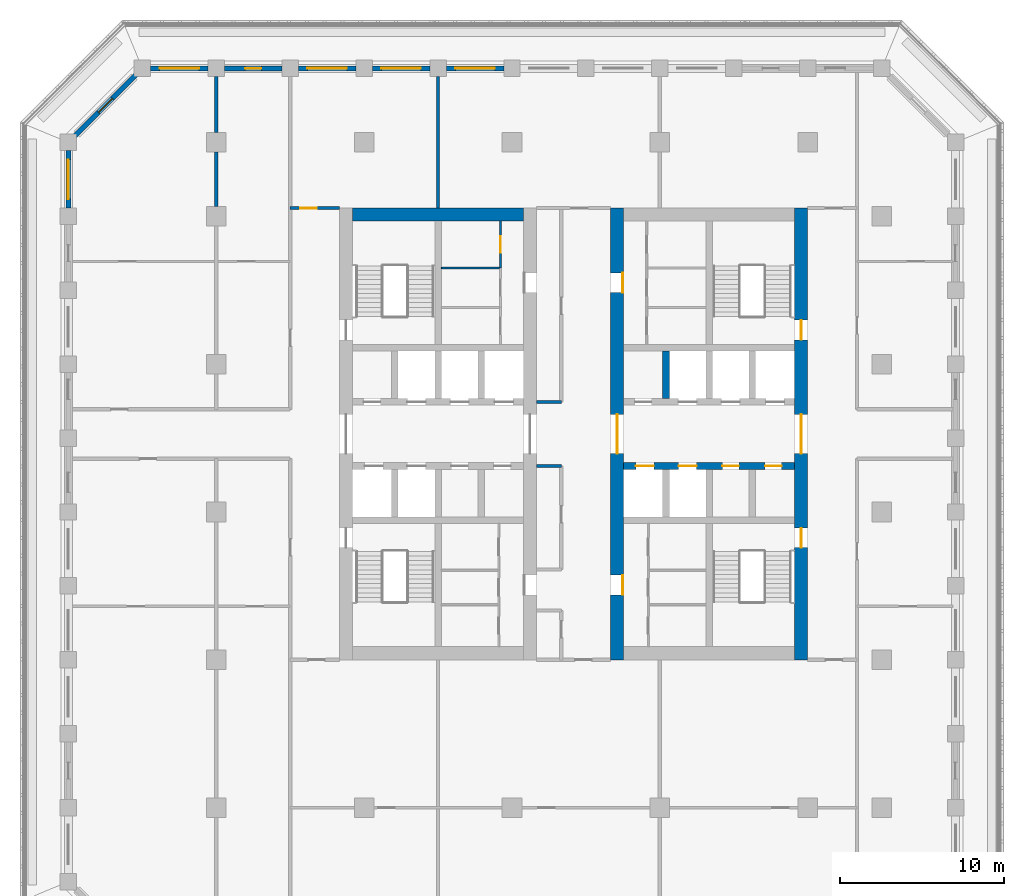
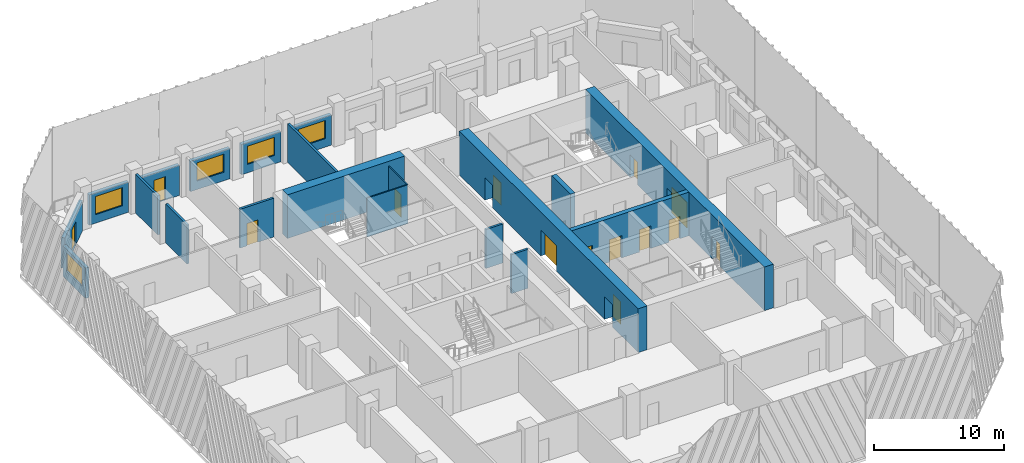
# One storey, part 6 of 16: 20 walls, 14 doors, 5 windows, 19 openings.
"""IFC4 building model written with IfcOpenShell, lengths in metres."""

from ifc_helpers import new_model, si_unit, direction, frame, frame_2d, origin, place, context, subcontext, project, spatial, rectangle, extrude, material, layer, layer_set, type_object, element, fill, save


model = new_model("IFC4")

# Units and contexts
model_context = context("Model", 3, precision=1e-05, world=origin(), true_north=direction((0.0, 1.0)))
body_context = subcontext(model_context, "Body", "Model", "MODEL_VIEW")
ifc_project = project(units=[si_unit("LENGTHUNIT", "METRE"), si_unit("AREAUNIT", "SQUARE_METRE"), si_unit("VOLUMEUNIT", "CUBIC_METRE"), si_unit("PLANEANGLEUNIT", "RADIAN"), si_unit("MASSUNIT", "GRAM", prefix="KILO")], contexts=[model_context])

# Site, building, storey
site_placement = place(None, origin())
site = spatial("IfcSite", under=ifc_project, at=site_placement, CompositionType="ELEMENT")
building_placement = place(site_placement, origin())
building = spatial("IfcBuilding", under=site, at=building_placement, Name="Corbel Stack Research Tower", CompositionType="ELEMENT")
storey_placement = place(building_placement, frame((0.0, 0.0, 165.0)))
storey = spatial("IfcBuildingStorey", under=building, at=storey_placement, Name="L37", CompositionType="ELEMENT", Elevation=165.0)

# Wall, openings, doors
ifc_material_1 = material(Name="Concrete C60/75", Category="concrete")
ifc_layer_1 = layer(ifc_material_1, 0.39990234375)
ifc_layer_set_1 = layer_set([ifc_layer_1], Name="Concrete C60/75")
wall_type_1 = type_object("IfcWallType", Name="CW-400-60", PredefinedType="SHEAR", material=ifc_layer_set_1)
wall_1_placement = place(storey_placement, frame((6.800048828125, 2.800048828125, 0.0), z_axis=(0.0, 0.0, 1.0), x_axis=(1.0, 0.0, 0.0)))
wall_1 = element("IfcWall", 1, at=wall_1_placement, inside=storey, type_object=wall_type_1, Name="East core wall, lobby south L37", PredefinedType="SHEAR", context=body_context, shape_type="SweptSolid", body=[
    extrude(rectangle(XDim=10.39990234375, YDim=0.39990234375, at=frame_2d((5.199951171875, 0.0))), origin(), (0.0, 0.0, 1.0), 4.10009765625),
])
opening_1_placement = place(wall_1_placement, frame((0.737548828125, 0.0, 0.0)))
opening_1 = element("IfcOpeningElement", 2, at=opening_1_placement, cuts=wall_1, Name="Opening LD-FS2", PredefinedType="OPENING", context=body_context, shape_type="SweptSolid", body=[
    extrude(rectangle(XDim=1.10009765625, YDim=2.10009765625, at=frame_2d((0.550048828125, 1.050048828125))), frame((0.0, 0.2099609375, 0.0), z_axis=(0.0, -1.0, 0.0), x_axis=(1.0, 0.0, 0.0)), (0.0, 0.0, 1.0), 0.419921875),
])
opening_2_placement = place(wall_1_placement, frame((3.33740234375, 0.0, 0.0)))
opening_2 = element("IfcOpeningElement", 3, at=opening_2_placement, cuts=wall_1, Name="Opening LD-GL2", PredefinedType="OPENING", context=body_context, shape_type="SweptSolid", body=[
    extrude(rectangle(XDim=1.10009765625, YDim=2.10009765625, at=frame_2d((0.550048828125, 1.050048828125))), frame((0.0, 0.2099609375, 0.0), z_axis=(0.0, -1.0, 0.0), x_axis=(1.0, 0.0, 0.0)), (0.0, 0.0, 1.0), 0.419921875),
])
opening_3_placement = place(wall_1_placement, frame((6.012451171875, 0.0, 0.0)))
opening_3 = element("IfcOpeningElement", 4, at=opening_3_placement, cuts=wall_1, Name="Opening CR-E12-S3", PredefinedType="OPENING", context=body_context, shape_type="SweptSolid", body=[
    extrude(rectangle(XDim=1.0, YDim=2.10009765625, at=frame_2d((0.5, 1.050048828125))), frame((0.0, 0.2099609375, 0.0), z_axis=(0.0, -1.0, 0.0), x_axis=(1.0, 0.0, 0.0)), (0.0, 0.0, 1.0), 0.419921875),
])
opening_4_placement = place(wall_1_placement, frame((8.612548828125, 0.0, 0.0)))
opening_4 = element("IfcOpeningElement", 5, at=opening_4_placement, cuts=wall_1, Name="Opening CR-E12-S4", PredefinedType="OPENING", context=body_context, shape_type="SweptSolid", body=[
    extrude(rectangle(XDim=1.0, YDim=2.10009765625, at=frame_2d((0.5, 1.050048828125))), frame((0.0, 0.2099609375, 0.0), z_axis=(0.0, -1.0, 0.0), x_axis=(1.0, 0.0, 0.0)), (0.0, 0.0, 1.0), 0.419921875),
])
ifc_material_2 = material(Name="Stainless steel landing door", Category="steel")
door_type_1 = type_object("IfcDoorType", Name="Lift landing door 1100 x 2100", OperationType="DOUBLE_DOOR_SLIDING", PredefinedType="DOOR", material=ifc_material_2)
door_1_placement = place(opening_1_placement, origin())
door_1 = element("IfcDoor", 6, at=door_1_placement, inside=storey, type_object=door_type_1, Name="Landing door FS2", OperationType="DOUBLE_DOOR_SLIDING", OverallHeight=2.10009765625, OverallWidth=1.10009765625, PredefinedType="DOOR", context=body_context, shape_type="SweptSolid", body=[
    extrude(rectangle(XDim=1.10009765625, YDim=2.10009765625, at=frame_2d((0.550048828125, 1.050048828125))), frame((0.0, 0.02490234375, 0.0), z_axis=(0.0, -1.0, 0.0), x_axis=(1.0, 0.0, 0.0)), (0.0, 0.0, 1.0), 0.050048828125),
])
fill(opening_1, door_1)
door_2_placement = place(opening_2_placement, origin())
door_2 = element("IfcDoor", 7, at=door_2_placement, inside=storey, type_object=door_type_1, Name="Landing door GL2", OperationType="DOUBLE_DOOR_SLIDING", OverallHeight=2.10009765625, OverallWidth=1.10009765625, PredefinedType="DOOR", context=body_context, shape_type="SweptSolid", body=[
    extrude(rectangle(XDim=1.10009765625, YDim=2.10009765625, at=frame_2d((0.550048828125, 1.050048828125))), frame((0.0, 0.02490234375, 0.0), z_axis=(0.0, -1.0, 0.0), x_axis=(1.0, 0.0, 0.0)), (0.0, 0.0, 1.0), 0.050048828125),
])
fill(opening_2, door_2)
ifc_material_3 = material(Name="Painted steel door", Category="steel")
door_type_2 = type_object("IfcDoorType", Name="Service door 1000 x 2100 FD60 left hand", OperationType="SINGLE_SWING_LEFT", PredefinedType="DOOR", material=ifc_material_3)
door_3_placement = place(opening_3_placement, origin())
door_3 = element("IfcDoor", 8, at=door_3_placement, inside=storey, type_object=door_type_2, Name="Vending bay door E core", OperationType="SINGLE_SWING_LEFT", OverallHeight=2.10009765625, OverallWidth=1.0, PredefinedType="DOOR", context=body_context, shape_type="SweptSolid", body=[
    extrude(rectangle(XDim=1.0, YDim=2.10009765625, at=frame_2d((0.5, 1.050048828125))), frame((0.0, 0.02490234375, 0.0), z_axis=(0.0, -1.0, 0.0), x_axis=(1.0, 0.0, 0.0)), (0.0, 0.0, 1.0), 0.050048828125),
])
fill(opening_3, door_3)
ifc_material_4 = material(Name="Painted steel door", Category="steel")
door_type_3 = type_object("IfcDoorType", Name="Service door 1000 x 2100 FD60 right hand", OperationType="SINGLE_SWING_RIGHT", PredefinedType="DOOR", material=ifc_material_4)
door_4_placement = place(opening_4_placement, origin())
door_4 = element("IfcDoor", 9, at=door_4_placement, inside=storey, type_object=door_type_3, Name="Mechanical room door E core", OperationType="SINGLE_SWING_RIGHT", OverallHeight=2.10009765625, OverallWidth=1.0, PredefinedType="DOOR", context=body_context, shape_type="SweptSolid", body=[
    extrude(rectangle(XDim=1.0, YDim=2.10009765625, at=frame_2d((0.5, 1.050048828125))), frame((0.0, 0.02490234375, 0.0), z_axis=(0.0, -1.0, 0.0), x_axis=(1.0, 0.0, 0.0)), (0.0, 0.0, 1.0), 0.050048828125),
])
fill(opening_4, door_4)

# Walls
wall_2_placement = place(storey_placement, frame((9.375, 6.89990234375, 0.0), z_axis=(0.0, 0.0, 1.0), x_axis=(0.0, 1.0, 0.0)))
element("IfcWall", 10, at=wall_2_placement, inside=storey, type_object=wall_type_1, Name="East core wall, north shaft 1 L37", PredefinedType="SHEAR", context=body_context, shape_type="SweptSolid", body=[
    extrude(rectangle(XDim=2.900146484375, YDim=0.39990234375, at=frame_2d((1.4501953125, 0.0))), origin(), (0.0, 0.0, 1.0), 4.10009765625),
])
ifc_material_5 = material(Name="Concrete C60/75", Category="concrete")
ifc_layer_2 = layer(ifc_material_5, 0.800048828125)
ifc_layer_set_2 = layer_set([ifc_layer_2], Name="Concrete C60/75")
wall_type_2 = type_object("IfcWallType", Name="CW-800-60", PredefinedType="SHEAR", material=ifc_layer_set_2)
wall_3_placement = place(storey_placement, frame((-9.699951171875, 18.10009765625, 0.0), z_axis=(0.0, 0.0, 1.0), x_axis=(1.0, 0.0, 0.0)))
element("IfcWall", 11, at=wall_3_placement, inside=storey, type_object=wall_type_2, Name="West core wall, north end L37", PredefinedType="SHEAR", context=body_context, shape_type="SweptSolid", body=[
    extrude(rectangle(XDim=10.39990234375, YDim=0.800048828125, at=frame_2d((5.199951171875, 0.0))), origin(), (0.0, 0.0, 1.0), 4.10009765625),
])

# Wall, openings, doors
wall_4_placement = place(storey_placement, frame((6.39990234375, -9.0, 0.0), z_axis=(0.0, 0.0, 1.0), x_axis=(0.0, 1.0, 0.0)))
wall_4 = element("IfcWall", 12, at=wall_4_placement, inside=storey, type_object=wall_type_2, Name="East core wall, west face L37", PredefinedType="SHEAR", context=body_context, shape_type="SweptSolid", body=[
    extrude(rectangle(XDim=27.5, YDim=0.800048828125, at=frame_2d((13.75, 0.0))), origin(), (0.0, 0.0, 1.0), 4.10009765625),
])
opening_5_placement = place(wall_4_placement, frame((12.550048828125, 0.0, 0.0)))
opening_5 = element("IfcOpeningElement", 13, at=opening_5_placement, cuts=wall_4, Name="Opening CD-E-W", PredefinedType="OPENING", context=body_context, shape_type="SweptSolid", body=[
    extrude(rectangle(XDim=2.39990234375, YDim=2.39990234375, at=frame_2d((1.199951171875, 1.199951171875))), frame((0.0, 0.409912109375, 0.0), z_axis=(0.0, -1.0, 0.0), x_axis=(1.0, 0.0, 0.0)), (0.0, 0.0, 1.0), 0.820068359375),
])
opening_6_placement = place(wall_4_placement, frame((3.949951171875, 0.0, 0.0)))
opening_6 = element("IfcOpeningElement", 14, at=opening_6_placement, cuts=wall_4, Name="Opening CR-E12-W1-1200", PredefinedType="OPENING", context=body_context, shape_type="SweptSolid", body=[
    extrude(rectangle(XDim=1.199951171875, YDim=2.10009765625, at=frame_2d((0.60009765625, 1.050048828125))), frame((0.0, 0.409912109375, 0.0), z_axis=(0.0, -1.0, 0.0), x_axis=(1.0, 0.0, 0.0)), (0.0, 0.0, 1.0), 0.820068359375),
])
opening_7_placement = place(wall_4_placement, frame((22.35009765625, 0.0, 0.0)))
opening_7 = element("IfcOpeningElement", 15, at=opening_7_placement, cuts=wall_4, Name="Opening CR-E12-R1-1200", PredefinedType="OPENING", context=body_context, shape_type="SweptSolid", body=[
    extrude(rectangle(XDim=1.199951171875, YDim=2.10009765625, at=frame_2d((0.60009765625, 1.050048828125))), frame((0.0, 0.409912109375, 0.0), z_axis=(0.0, -1.0, 0.0), x_axis=(1.0, 0.0, 0.0)), (0.0, 0.0, 1.0), 0.820068359375),
])
ifc_material_6 = material(Name="Painted steel fire door", Category="steel")
door_type_4 = type_object("IfcDoorType", Name="Lobby door pair 2400 x 2400 FD30S", OperationType="DOUBLE_DOOR_DOUBLE_SWING", PredefinedType="DOOR", material=ifc_material_6)
door_5_placement = place(opening_5_placement, origin())
door_5 = element("IfcDoor", 16, at=door_5_placement, inside=storey, type_object=door_type_4, Name="Lift lobby door E core W", OperationType="DOUBLE_DOOR_DOUBLE_SWING", OverallHeight=2.39990234375, OverallWidth=2.39990234375, PredefinedType="DOOR", context=body_context, shape_type="SweptSolid", body=[
    extrude(rectangle(XDim=2.39990234375, YDim=2.39990234375, at=frame_2d((1.199951171875, 1.199951171875))), frame((0.0, 0.02490234375, 0.0), z_axis=(0.0, -1.0, 0.0), x_axis=(1.0, 0.0, 0.0)), (0.0, 0.0, 1.0), 0.050048828125),
])
fill(opening_5, door_5)
ifc_material_7 = material(Name="Painted steel door", Category="steel")
door_type_5 = type_object("IfcDoorType", Name="Service door 1200 x 2100 FD30 right hand", OperationType="SINGLE_SWING_RIGHT", PredefinedType="DOOR", material=ifc_material_7)
door_6_placement = place(opening_7_placement, origin())
door_6 = element("IfcDoor", 17, at=door_6_placement, inside=storey, type_object=door_type_5, Name="Service passage door E core", OperationType="SINGLE_SWING_RIGHT", OverallHeight=2.10009765625, OverallWidth=1.199951171875, PredefinedType="DOOR", context=body_context, shape_type="SweptSolid", body=[
    extrude(rectangle(XDim=1.199951171875, YDim=2.10009765625, at=frame_2d((0.60009765625, 1.050048828125))), frame((0.0, -0.3251953125, 0.0), z_axis=(0.0, -1.0, 0.0), x_axis=(1.0, 0.0, 0.0)), (0.0, 0.0, 1.0), 0.050048828125),
])
fill(opening_7, door_6)
ifc_material_8 = material(Name="Painted timber door", Category="wood")
door_type_6 = type_object("IfcDoorType", Name="WC door 1200 x 2100 right hand", OperationType="SINGLE_SWING_RIGHT", PredefinedType="DOOR", material=ifc_material_8)
door_7_placement = place(opening_6_placement, origin())
door_7 = element("IfcDoor", 18, at=door_7_placement, inside=storey, type_object=door_type_6, Name="WC lobby door E core", OperationType="SINGLE_SWING_RIGHT", OverallHeight=2.10009765625, OverallWidth=1.199951171875, PredefinedType="DOOR", context=body_context, shape_type="SweptSolid", body=[
    extrude(rectangle(XDim=1.199951171875, YDim=2.10009765625, at=frame_2d((0.60009765625, 1.050048828125))), frame((0.0, -0.3251953125, 0.0), z_axis=(0.0, -1.0, 0.0), x_axis=(1.0, 0.0, 0.0)), (0.0, 0.0, 1.0), 0.050048828125),
])
fill(opening_6, door_7)

wall_5_placement = place(storey_placement, frame((17.60009765625, -9.0, 0.0), z_axis=(0.0, 0.0, 1.0), x_axis=(0.0, 1.0, 0.0)))
wall_5 = element("IfcWall", 19, at=wall_5_placement, inside=storey, type_object=wall_type_2, Name="East core wall, east face L37", PredefinedType="SHEAR", context=body_context, shape_type="SweptSolid", body=[
    extrude(rectangle(XDim=27.5, YDim=0.800048828125, at=frame_2d((13.75, 0.0))), origin(), (0.0, 0.0, 1.0), 4.10009765625),
])
opening_8_placement = place(wall_5_placement, frame((12.550048828125, 0.0, 0.0)))
opening_8 = element("IfcOpeningElement", 20, at=opening_8_placement, cuts=wall_5, Name="Opening CD-E-E", PredefinedType="OPENING", context=body_context, shape_type="SweptSolid", body=[
    extrude(rectangle(XDim=2.39990234375, YDim=2.39990234375, at=frame_2d((1.199951171875, 1.199951171875))), frame((0.0, 0.409912109375, 0.0), z_axis=(0.0, -1.0, 0.0), x_axis=(1.0, 0.0, 0.0)), (0.0, 0.0, 1.0), 0.820068359375),
])
opening_9_placement = place(wall_5_placement, frame((6.824951171875, 0.0, 0.0)))
opening_9 = element("IfcOpeningElement", 21, at=opening_9_placement, cuts=wall_5, Name="Opening SD-ST-E1", PredefinedType="OPENING", context=body_context, shape_type="SweptSolid", body=[
    extrude(rectangle(XDim=1.199951171875, YDim=2.10009765625, at=frame_2d((0.60009765625, 1.050048828125))), frame((0.0, 0.409912109375, 0.0), z_axis=(0.0, -1.0, 0.0), x_axis=(1.0, 0.0, 0.0)), (0.0, 0.0, 1.0), 0.820068359375),
])
opening_10_placement = place(wall_5_placement, frame((19.47509765625, 0.0, 0.0)))
opening_10 = element("IfcOpeningElement", 22, at=opening_10_placement, cuts=wall_5, Name="Opening SD-ST-E2", PredefinedType="OPENING", context=body_context, shape_type="SweptSolid", body=[
    extrude(rectangle(XDim=1.199951171875, YDim=2.10009765625, at=frame_2d((0.60009765625, 1.050048828125))), frame((0.0, 0.409912109375, 0.0), z_axis=(0.0, -1.0, 0.0), x_axis=(1.0, 0.0, 0.0)), (0.0, 0.0, 1.0), 0.820068359375),
])
door_8_placement = place(opening_8_placement, origin())
door_8 = element("IfcDoor", 23, at=door_8_placement, inside=storey, type_object=door_type_4, Name="Lift lobby door E core E", OperationType="DOUBLE_DOOR_DOUBLE_SWING", OverallHeight=2.39990234375, OverallWidth=2.39990234375, PredefinedType="DOOR", context=body_context, shape_type="SweptSolid", body=[
    extrude(rectangle(XDim=2.39990234375, YDim=2.39990234375, at=frame_2d((1.199951171875, 1.199951171875))), frame((0.0, 0.02490234375, 0.0), z_axis=(0.0, -1.0, 0.0), x_axis=(1.0, 0.0, 0.0)), (0.0, 0.0, 1.0), 0.050048828125),
])
fill(opening_8, door_8)
ifc_material_9 = material(Name="Painted steel fire door", Category="steel")
door_type_7 = type_object("IfcDoorType", Name="Stair door 1200 x 2100 FD90 right hand", OperationType="SINGLE_SWING_RIGHT", PredefinedType="DOOR", material=ifc_material_9)
door_9_placement = place(opening_9_placement, frame((1.199951171875, 0.0, 0.0), z_axis=(0.0, 0.0, 1.0), x_axis=(-1.0, 0.0, 0.0)))
door_9 = element("IfcDoor", 24, at=door_9_placement, inside=storey, type_object=door_type_7, Name="Stair door ST-E1", OperationType="SINGLE_SWING_LEFT", OverallHeight=2.10009765625, OverallWidth=1.199951171875, PredefinedType="DOOR", context=body_context, shape_type="SweptSolid", body=[
    extrude(rectangle(XDim=1.199951171875, YDim=2.10009765625, at=frame_2d((0.60009765625, 1.050048828125))), frame((0.0, 0.02490234375, 0.0), z_axis=(0.0, -1.0, 0.0), x_axis=(1.0, 0.0, 0.0)), (0.0, 0.0, 1.0), 0.050048828125),
])
fill(opening_9, door_9)
door_10_placement = place(opening_10_placement, frame((1.199951171875, 0.0, 0.0), z_axis=(0.0, 0.0, 1.0), x_axis=(-1.0, 0.0, 0.0)))
door_10 = element("IfcDoor", 25, at=door_10_placement, inside=storey, type_object=door_type_7, Name="Stair door ST-E2", OperationType="SINGLE_SWING_LEFT", OverallHeight=2.10009765625, OverallWidth=1.199951171875, PredefinedType="DOOR", context=body_context, shape_type="SweptSolid", body=[
    extrude(rectangle(XDim=1.199951171875, YDim=2.10009765625, at=frame_2d((0.60009765625, 1.050048828125))), frame((0.0, 0.02490234375, 0.0), z_axis=(0.0, -1.0, 0.0), x_axis=(1.0, 0.0, 0.0)), (0.0, 0.0, 1.0), 0.050048828125),
])
fill(opening_10, door_10)

# Wall, opening, door
ifc_material_10 = material(Name="Gypsum board")
ifc_layer_3 = layer(ifc_material_10, 0.10009765625)
ifc_layer_set_3 = layer_set([ifc_layer_3], Name="Gypsum board")
wall_type_3 = type_object("IfcWallType", Name="Core partition 100", PredefinedType="PARTITIONING", material=ifc_layer_set_3)
wall_6_placement = place(storey_placement, frame((-0.699951171875, 14.85009765625, 0.0), z_axis=(0.0, 0.0, 1.0), x_axis=(0.0, 1.0, 0.0)))
wall_6 = element("IfcWall", 26, at=wall_6_placement, inside=storey, type_object=wall_type_3, Name="Core partition W", PredefinedType="PARTITIONING", context=body_context, shape_type="SweptSolid", body=[
    extrude(rectangle(XDim=2.849853515625, YDim=0.10009765625, at=frame_2d((1.4248046875, 0.0))), origin(), (0.0, 0.0, 1.0), 3.64990234375),
])
opening_11_placement = place(wall_6_placement, frame((0.925048828125, 0.0, 0.0)))
opening_11 = element("IfcOpeningElement", 27, at=opening_11_placement, cuts=wall_6, Name="Opening CR-W12-R4-1000", PredefinedType="OPENING", context=body_context, shape_type="SweptSolid", body=[
    extrude(rectangle(XDim=1.0, YDim=2.10009765625, at=frame_2d((0.5, 1.050048828125))), frame((0.0, 0.06005859375, 0.0), z_axis=(0.0, -1.0, 0.0), x_axis=(1.0, 0.0, 0.0)), (0.0, 0.0, 1.0), 0.1201171875),
])
ifc_material_11 = material(Name="Painted steel door", Category="steel")
door_type_8 = type_object("IfcDoorType", Name="Riser door 1000 x 2100 FD60 right hand", OperationType="SINGLE_SWING_RIGHT", PredefinedType="DOOR", material=ifc_material_11)
door_11_placement = place(opening_11_placement, origin())
door_11 = element("IfcDoor", 28, at=door_11_placement, inside=storey, type_object=door_type_8, Name="Electrical riser door W core", OperationType="SINGLE_SWING_RIGHT", OverallHeight=2.10009765625, OverallWidth=1.0, PredefinedType="DOOR", context=body_context, shape_type="SweptSolid", body=[
    extrude(rectangle(XDim=1.0, YDim=2.10009765625, at=frame_2d((0.5, 1.050048828125))), frame((0.0, 0.02490234375, 0.0), z_axis=(0.0, -1.0, 0.0), x_axis=(1.0, 0.0, 0.0)), (0.0, 0.0, 1.0), 0.050048828125),
])
fill(opening_11, door_11)

# Walls
wall_7_placement = place(storey_placement, frame((-4.300048828125, 14.85009765625, 0.0), z_axis=(0.0, 0.0, 1.0), x_axis=(1.0, 0.0, 0.0)))
element("IfcWall", 29, at=wall_7_placement, inside=storey, type_object=wall_type_3, Name="Core partition W", PredefinedType="PARTITIONING", context=body_context, shape_type="SweptSolid", body=[
    extrude(rectangle(XDim=3.60009765625, YDim=0.10009765625, at=frame_2d((1.800048828125, 0.0))), origin(), (0.0, 0.0, 1.0), 3.64990234375),
])
ifc_material_12 = material(Name="Fire-rated gypsum board partition on steel studs", Category="steel")
ifc_layer_4 = layer(ifc_material_12, 0.199951171875)
ifc_layer_set_4 = layer_set([ifc_layer_4], Name="Fire-rated gypsum board partition on steel studs")
wall_type_4 = type_object("IfcWallType", Name="Fire-rated partition 200 EI 60", PredefinedType="PARTITIONING", material=ifc_layer_set_4)
wall_8_placement = place(storey_placement, frame((-18.0, 18.60009765625, 0.0), z_axis=(0.0, 0.0, 1.0), x_axis=(0.0, 1.0, 0.0)))
element("IfcWall", 30, at=wall_8_placement, inside=storey, type_object=wall_type_4, Name="Partition L37-007", PredefinedType="PARTITIONING", context=body_context, shape_type="SweptSolid", body=[
    extrude(rectangle(XDim=3.2998046875, YDim=0.199951171875, at=frame_2d((1.64990234375, 0.0))), origin(), (0.0, 0.0, 1.0), 3.64990234375),
])
wall_9_placement = place(storey_placement, frame((-18.0, 23.10009765625, 0.0), z_axis=(0.0, 0.0, 1.0), x_axis=(0.0, 1.0, 0.0)))
element("IfcWall", 31, at=wall_9_placement, inside=storey, type_object=wall_type_4, Name="Partition L37-008", PredefinedType="PARTITIONING", context=body_context, shape_type="SweptSolid", body=[
    extrude(rectangle(XDim=3.39990234375, YDim=0.199951171875, at=frame_2d((1.699951171875, 0.0))), origin(), (0.0, 0.0, 1.0), 3.64990234375),
])
wall_10_placement = place(storey_placement, frame((-4.5, 18.5, 0.0), z_axis=(0.0, 0.0, 1.0), x_axis=(0.0, 1.0, 0.0)))
element("IfcWall", 32, at=wall_10_placement, inside=storey, type_object=wall_type_4, Name="Partition L37-012", PredefinedType="PARTITIONING", context=body_context, shape_type="SweptSolid", body=[
    extrude(rectangle(XDim=8.0, YDim=0.199951171875, at=frame_2d((4.0, 0.0))), origin(), (0.0, 0.0, 1.0), 3.64990234375),
])
for number, where, z_axis, x_axis, name in (
    (33, (1.5, 2.800048828125, 0.0), (0.0, 0.0, 1.0), (1.0, 0.0, 0.0), "Partition L37-034"),
    (34, (1.5, 6.699951171875, 0.0), (0.0, 0.0, 1.0), (1.0, 0.0, 0.0), "Partition L37-039"),
):
    element("IfcWall", number, at=place(storey_placement, frame(where, z_axis=z_axis, x_axis=x_axis)), inside=storey, type_object=wall_type_4, Name=name, PredefinedType="PARTITIONING", context=body_context, shape_type="SweptSolid", body=[
        extrude(rectangle(XDim=1.5, YDim=0.199951171875, at=frame_2d((0.75, 0.0))), origin(), (0.0, 0.0, 1.0), 3.64990234375),
    ])

# Wall, opening, door
wall_11_placement = place(storey_placement, frame((-13.5, 18.5, 0.0), z_axis=(0.0, 0.0, 1.0), x_axis=(1.0, 0.0, 0.0)))
wall_11 = element("IfcWall", 35, at=wall_11_placement, inside=storey, type_object=wall_type_4, Name="Partition L37-042", PredefinedType="PARTITIONING", context=body_context, shape_type="SweptSolid", body=[
    extrude(rectangle(XDim=3.0, YDim=0.199951171875, at=frame_2d((1.5, 0.0))), origin(), (0.0, 0.0, 1.0), 3.64990234375),
])
opening_12_placement = place(wall_11_placement, frame((0.60009765625, 0.0, 0.0)))
opening_12 = element("IfcOpeningElement", 36, at=opening_12_placement, cuts=wall_11, Name="Opening B5V1-020", PredefinedType="OPENING", context=body_context, shape_type="SweptSolid", body=[
    extrude(rectangle(XDim=1.0, YDim=2.10009765625, at=frame_2d((0.5, 1.050048828125))), frame((0.0, 0.10986328125, 0.0), z_axis=(0.0, -1.0, 0.0), x_axis=(1.0, 0.0, 0.0)), (0.0, 0.0, 1.0), 0.219970703125),
])
ifc_material_13 = material(Name="Painted steel fire door", Category="steel")
door_type_9 = type_object("IfcDoorType", Name="Fire door FD30S 1000 x 2100", OperationType="NOTDEFINED", PredefinedType="DOOR", material=ifc_material_13)
door_12_placement = place(opening_12_placement, origin())
door_12 = element("IfcDoor", 37, at=door_12_placement, inside=storey, type_object=door_type_9, Name="Door B5V1-020", OperationType="SINGLE_SWING_LEFT", OverallHeight=2.10009765625, OverallWidth=1.0, PredefinedType="DOOR", context=body_context, shape_type="SweptSolid", body=[
    extrude(rectangle(XDim=1.0, YDim=2.10009765625, at=frame_2d((0.5, 1.050048828125))), frame((0.0, 0.02490234375, 0.0), z_axis=(0.0, -1.0, 0.0), x_axis=(1.0, 0.0, 0.0)), (0.0, 0.0, 1.0), 0.050048828125),
])
fill(opening_12, door_12)

# Wall, opening, window
ifc_material_14 = material(Name="Concrete C45/55", Category="concrete")
ifc_layer_5 = layer(ifc_material_14, 0.300048828125)
ifc_layer_set_5 = layer_set([ifc_layer_5], Name="Concrete C45/55")
wall_type_5 = type_object("IfcWallType", Name="Terracotta-faced concrete wall 300", PredefinedType="SOLIDWALL", material=ifc_layer_set_5)
wall_12_placement = place(storey_placement, frame((-4.0, 27.0, 0.0), z_axis=(0.0, 0.0, 1.0), x_axis=(1.0, 0.0, 0.0)))
wall_12 = element("IfcWall", 38, at=wall_12_placement, inside=storey, type_object=wall_type_5, Name="Facade wall L37 N06", PredefinedType="SOLIDWALL", context=body_context, shape_type="SweptSolid", body=[
    extrude(rectangle(XDim=3.5, YDim=0.300048828125, at=frame_2d((1.75, 0.0))), origin(), (0.0, 0.0, 1.0), 2.85009765625),
])
opening_13_placement = place(wall_12_placement, frame((0.550048828125, 0.0, 0.800048828125)))
opening_13 = element("IfcOpeningElement", 39, at=opening_13_placement, cuts=wall_12, Name="Opening W1", PredefinedType="OPENING", context=body_context, shape_type="SweptSolid", body=[
    extrude(rectangle(XDim=2.39990234375, YDim=1.699951171875, at=frame_2d((1.199951171875, 0.85009765625))), frame((0.0, 0.159912109375, 0.0), z_axis=(0.0, -1.0, 0.0), x_axis=(1.0, 0.0, 0.0)), (0.0, 0.0, 1.0), 0.320068359375),
])
ifc_material_15 = material(Name="Aluminium frame, clear double glazing", Category="aluminium")
window_type = type_object("IfcWindowType", Name="Window W1 2400 x 1700", PartitioningType="SINGLE_PANEL", PredefinedType="WINDOW", material=ifc_material_15)
window_1_placement = place(opening_13_placement, origin())
window_1 = element("IfcWindow", 40, at=window_1_placement, inside=storey, type_object=window_type, Name="Window W1 L37 N06", OverallHeight=1.699951171875, OverallWidth=2.39990234375, PartitioningType="SINGLE_PANEL", PredefinedType="WINDOW", context=body_context, shape_type="SweptSolid", body=[
    extrude(rectangle(XDim=2.39990234375, YDim=1.699951171875, at=frame_2d((1.199951171875, 0.85009765625))), frame((0.0, 0.030029296875, 0.0), z_axis=(0.0, -1.0, 0.0), x_axis=(1.0, 0.0, 0.0)), (0.0, 0.0, 1.0), 0.06005859375),
])
fill(opening_13, window_1)

wall_13_placement = place(storey_placement, frame((-8.5, 27.0, 0.0), z_axis=(0.0, 0.0, 1.0), x_axis=(1.0, 0.0, 0.0)))
wall_13 = element("IfcWall", 41, at=wall_13_placement, inside=storey, type_object=wall_type_5, Name="Facade wall L37 N07", PredefinedType="SOLIDWALL", context=body_context, shape_type="SweptSolid", body=[
    extrude(rectangle(XDim=3.5, YDim=0.300048828125, at=frame_2d((1.75, 0.0))), origin(), (0.0, 0.0, 1.0), 2.85009765625),
])
opening_14_placement = place(wall_13_placement, frame((0.550048828125, 0.0, 0.800048828125)))
opening_14 = element("IfcOpeningElement", 42, at=opening_14_placement, cuts=wall_13, Name="Opening W1", PredefinedType="OPENING", context=body_context, shape_type="SweptSolid", body=[
    extrude(rectangle(XDim=2.39990234375, YDim=1.699951171875, at=frame_2d((1.199951171875, 0.85009765625))), frame((0.0, 0.159912109375, 0.0), z_axis=(0.0, -1.0, 0.0), x_axis=(1.0, 0.0, 0.0)), (0.0, 0.0, 1.0), 0.320068359375),
])
window_2_placement = place(opening_14_placement, origin())
window_2 = element("IfcWindow", 43, at=window_2_placement, inside=storey, type_object=window_type, Name="Window W1 L37 N07", OverallHeight=1.699951171875, OverallWidth=2.39990234375, PartitioningType="SINGLE_PANEL", PredefinedType="WINDOW", context=body_context, shape_type="SweptSolid", body=[
    extrude(rectangle(XDim=2.39990234375, YDim=1.699951171875, at=frame_2d((1.199951171875, 0.85009765625))), frame((0.0, 0.030029296875, 0.0), z_axis=(0.0, -1.0, 0.0), x_axis=(1.0, 0.0, 0.0)), (0.0, 0.0, 1.0), 0.06005859375),
])
fill(opening_14, window_2)

wall_14_placement = place(storey_placement, frame((-13.0, 27.0, 0.0), z_axis=(0.0, 0.0, 1.0), x_axis=(1.0, 0.0, 0.0)))
wall_14 = element("IfcWall", 44, at=wall_14_placement, inside=storey, type_object=wall_type_5, Name="Facade wall L37 N08", PredefinedType="SOLIDWALL", context=body_context, shape_type="SweptSolid", body=[
    extrude(rectangle(XDim=3.5, YDim=0.300048828125, at=frame_2d((1.75, 0.0))), origin(), (0.0, 0.0, 1.0), 2.85009765625),
])
opening_15_placement = place(wall_14_placement, frame((0.550048828125, 0.0, 0.800048828125)))
opening_15 = element("IfcOpeningElement", 45, at=opening_15_placement, cuts=wall_14, Name="Opening W1", PredefinedType="OPENING", context=body_context, shape_type="SweptSolid", body=[
    extrude(rectangle(XDim=2.39990234375, YDim=1.699951171875, at=frame_2d((1.199951171875, 0.85009765625))), frame((0.0, 0.159912109375, 0.0), z_axis=(0.0, -1.0, 0.0), x_axis=(1.0, 0.0, 0.0)), (0.0, 0.0, 1.0), 0.320068359375),
])
window_3_placement = place(opening_15_placement, origin())
window_3 = element("IfcWindow", 46, at=window_3_placement, inside=storey, type_object=window_type, Name="Window W1 L37 N08", OverallHeight=1.699951171875, OverallWidth=2.39990234375, PartitioningType="SINGLE_PANEL", PredefinedType="WINDOW", context=body_context, shape_type="SweptSolid", body=[
    extrude(rectangle(XDim=2.39990234375, YDim=1.699951171875, at=frame_2d((1.199951171875, 0.85009765625))), frame((0.0, 0.030029296875, 0.0), z_axis=(0.0, -1.0, 0.0), x_axis=(1.0, 0.0, 0.0)), (0.0, 0.0, 1.0), 0.06005859375),
])
fill(opening_15, window_3)

# Wall, opening, door
wall_15_placement = place(storey_placement, frame((-17.5, 27.0, 0.0), z_axis=(0.0, 0.0, 1.0), x_axis=(1.0, 0.0, 0.0)))
wall_15 = element("IfcWall", 47, at=wall_15_placement, inside=storey, type_object=wall_type_5, Name="Facade wall L37 N09", PredefinedType="SOLIDWALL", context=body_context, shape_type="SweptSolid", body=[
    extrude(rectangle(XDim=3.5, YDim=0.300048828125, at=frame_2d((1.75, 0.0))), origin(), (0.0, 0.0, 1.0), 2.85009765625),
])
opening_16_placement = place(wall_15_placement, frame((1.25, 0.0, 0.0)))
opening_16 = element("IfcOpeningElement", 48, at=opening_16_placement, cuts=wall_15, Name="Opening L37-B08", PredefinedType="OPENING", context=body_context, shape_type="SweptSolid", body=[
    extrude(rectangle(XDim=1.0, YDim=2.199951171875, at=frame_2d((0.5, 1.10009765625))), frame((0.0, 0.159912109375, 0.0), z_axis=(0.0, -1.0, 0.0), x_axis=(1.0, 0.0, 0.0)), (0.0, 0.0, 1.0), 0.320068359375),
])
ifc_material_16 = material(Name="Aluminium frame, clear double glazing", Category="aluminium")
door_type_10 = type_object("IfcDoorType", Name="Balcony door BD1 1000 x 2200", OperationType="NOTDEFINED", PredefinedType="DOOR", material=ifc_material_16)
door_13_placement = place(opening_16_placement, origin())
door_13 = element("IfcDoor", 49, at=door_13_placement, inside=storey, type_object=door_type_10, Name="Balcony door L37-B08", OperationType="SINGLE_SWING_RIGHT", OverallHeight=2.199951171875, OverallWidth=1.0, PredefinedType="DOOR", context=body_context, shape_type="SweptSolid", body=[
    extrude(rectangle(XDim=1.0, YDim=2.199951171875, at=frame_2d((0.5, 1.10009765625))), frame((0.0, 0.02490234375, 0.0), z_axis=(0.0, -1.0, 0.0), x_axis=(1.0, 0.0, 0.0)), (0.0, 0.0, 1.0), 0.050048828125),
])
fill(opening_16, door_13)

# Wall, opening, window
wall_16_placement = place(storey_placement, frame((-22.0, 27.0, 0.0), z_axis=(0.0, 0.0, 1.0), x_axis=(1.0, 0.0, 0.0)))
wall_16 = element("IfcWall", 50, at=wall_16_placement, inside=storey, type_object=wall_type_5, Name="Facade wall L37 N10", PredefinedType="SOLIDWALL", context=body_context, shape_type="SweptSolid", body=[
    extrude(rectangle(XDim=3.5, YDim=0.300048828125, at=frame_2d((1.75, 0.0))), origin(), (0.0, 0.0, 1.0), 2.85009765625),
])
opening_17_placement = place(wall_16_placement, frame((0.550048828125, 0.0, 0.800048828125)))
opening_17 = element("IfcOpeningElement", 51, at=opening_17_placement, cuts=wall_16, Name="Opening W1", PredefinedType="OPENING", context=body_context, shape_type="SweptSolid", body=[
    extrude(rectangle(XDim=2.39990234375, YDim=1.699951171875, at=frame_2d((1.199951171875, 0.85009765625))), frame((0.0, 0.159912109375, 0.0), z_axis=(0.0, -1.0, 0.0), x_axis=(1.0, 0.0, 0.0)), (0.0, 0.0, 1.0), 0.320068359375),
])
window_4_placement = place(opening_17_placement, origin())
window_4 = element("IfcWindow", 52, at=window_4_placement, inside=storey, type_object=window_type, Name="Window W1 L37 N10", OverallHeight=1.699951171875, OverallWidth=2.39990234375, PartitioningType="SINGLE_PANEL", PredefinedType="WINDOW", context=body_context, shape_type="SweptSolid", body=[
    extrude(rectangle(XDim=2.39990234375, YDim=1.699951171875, at=frame_2d((1.199951171875, 0.85009765625))), frame((0.0, 0.030029296875, 0.0), z_axis=(0.0, -1.0, 0.0), x_axis=(1.0, 0.0, 0.0)), (0.0, 0.0, 1.0), 0.06005859375),
])
fill(opening_17, window_4)

# Wall, opening, door
wall_17_placement = place(storey_placement, frame((-26.606201171875, 22.893798828125, 0.0), z_axis=(0.0, 0.0, 1.0), x_axis=(0.707106781187, 0.707106781187, 0.0)))
wall_17 = element("IfcWall", 53, at=wall_17_placement, inside=storey, type_object=wall_type_5, Name="Facade wall L37 NW01", PredefinedType="SOLIDWALL", context=body_context, shape_type="SweptSolid", body=[
    extrude(rectangle(XDim=5.250244140625, YDim=0.300048828125, at=frame_2d((2.625, 0.0))), origin(), (0.0, 0.0, 1.0), 2.85009765625),
])
opening_18_placement = place(wall_17_placement, frame((2.02490234375, 0.0, 0.0)))
opening_18 = element("IfcOpeningElement", 54, at=opening_18_placement, cuts=wall_17, Name="Opening L37-B09", PredefinedType="OPENING", context=body_context, shape_type="SweptSolid", body=[
    extrude(rectangle(XDim=1.199951171875, YDim=2.199951171875, at=frame_2d((0.60009765625, 1.10009765625))), frame((0.0, 0.159912109375, 0.0), z_axis=(0.0, -1.0, 0.0), x_axis=(1.0, 0.0, 0.0)), (0.0, 0.0, 1.0), 0.320068359375),
])
ifc_material_17 = material(Name="Aluminium frame, clear double glazing", Category="aluminium")
door_type_11 = type_object("IfcDoorType", Name="Balcony door BD2 1200 x 2200", OperationType="NOTDEFINED", PredefinedType="DOOR", material=ifc_material_17)
door_14_placement = place(opening_18_placement, origin())
door_14 = element("IfcDoor", 55, at=door_14_placement, inside=storey, type_object=door_type_11, Name="Balcony door L37-B09", OperationType="SINGLE_SWING_RIGHT", OverallHeight=2.199951171875, OverallWidth=1.199951171875, PredefinedType="DOOR", context=body_context, shape_type="SweptSolid", body=[
    extrude(rectangle(XDim=1.199951171875, YDim=2.199951171875, at=frame_2d((0.60009765625, 1.10009765625))), frame((0.0, 0.02490234375, 0.0), z_axis=(0.0, -1.0, 0.0), x_axis=(1.0, 0.0, 0.0)), (0.0, 0.0, 1.0), 0.050048828125),
])
fill(opening_18, door_14)

# Wall, opening, window
wall_18_placement = place(storey_placement, frame((-27.0, 18.5, 0.0), z_axis=(0.0, 0.0, 1.0), x_axis=(0.0, 1.0, 0.0)))
wall_18 = element("IfcWall", 56, at=wall_18_placement, inside=storey, type_object=wall_type_5, Name="Facade wall L37 W01", PredefinedType="SOLIDWALL", context=body_context, shape_type="SweptSolid", body=[
    extrude(rectangle(XDim=3.5, YDim=0.300048828125, at=frame_2d((1.75, 0.0))), origin(), (0.0, 0.0, 1.0), 2.85009765625),
])
opening_19_placement = place(wall_18_placement, frame((0.550048828125, 0.0, 0.800048828125)))
opening_19 = element("IfcOpeningElement", 57, at=opening_19_placement, cuts=wall_18, Name="Opening W1", PredefinedType="OPENING", context=body_context, shape_type="SweptSolid", body=[
    extrude(rectangle(XDim=2.39990234375, YDim=1.699951171875, at=frame_2d((1.199951171875, 0.85009765625))), frame((0.0, 0.159912109375, 0.0), z_axis=(0.0, -1.0, 0.0), x_axis=(1.0, 0.0, 0.0)), (0.0, 0.0, 1.0), 0.320068359375),
])
window_5_placement = place(opening_19_placement, origin())
window_5 = element("IfcWindow", 58, at=window_5_placement, inside=storey, type_object=window_type, Name="Window W1 L37 W01", OverallHeight=1.699951171875, OverallWidth=2.39990234375, PartitioningType="SINGLE_PANEL", PredefinedType="WINDOW", context=body_context, shape_type="SweptSolid", body=[
    extrude(rectangle(XDim=2.39990234375, YDim=1.699951171875, at=frame_2d((1.199951171875, 0.85009765625))), frame((0.0, 0.030029296875, 0.0), z_axis=(0.0, -1.0, 0.0), x_axis=(1.0, 0.0, 0.0)), (0.0, 0.0, 1.0), 0.06005859375),
])
fill(opening_19, window_5)

save(model, "model.ifc")
